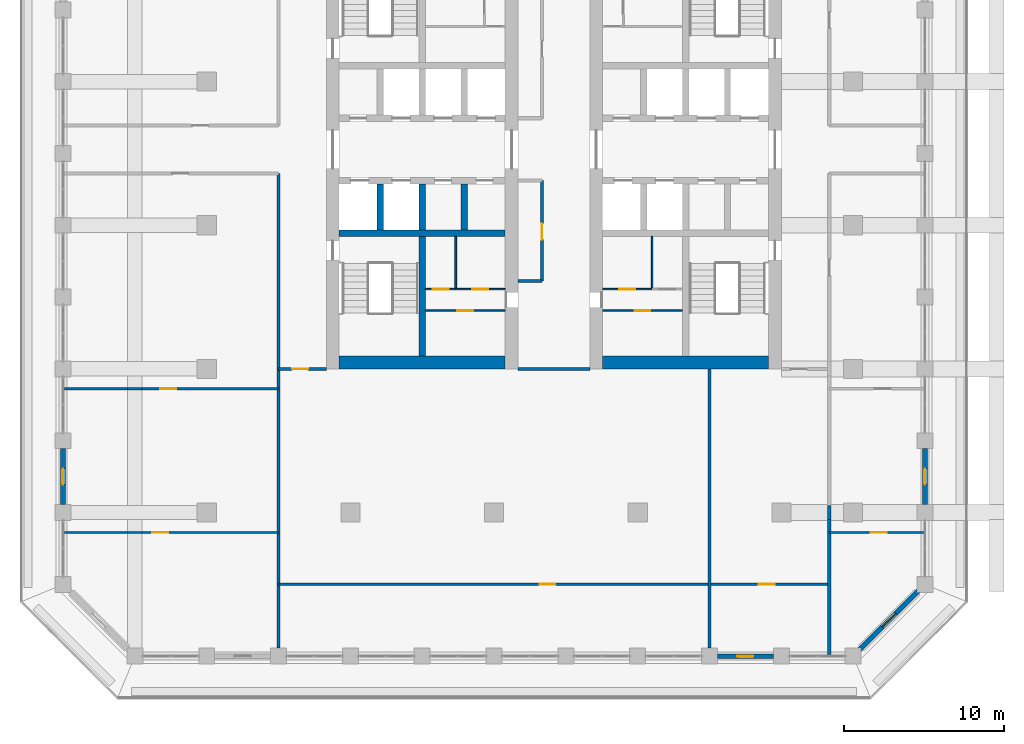
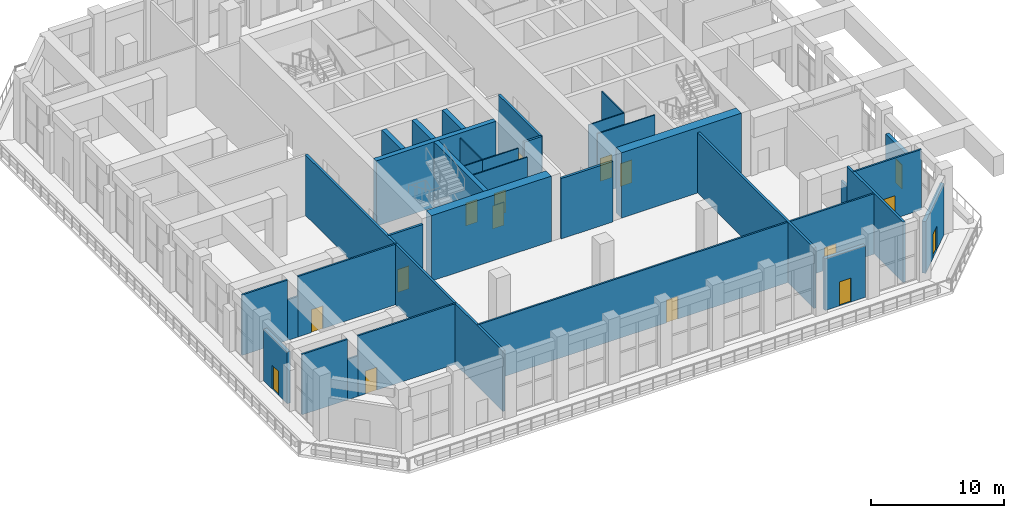
# One storey, part 13 of 25: 34 walls, 16 doors, 16 openings.
"""IFC4 building model written with IfcOpenShell, lengths in metres."""

from ifc_helpers import new_model, si_unit, direction, frame, frame_2d, origin, place, context, subcontext, project, spatial, rectangle, extrude, material, layer, layer_set, type_object, element, fill, save


model = new_model("IFC4")

# Units and contexts
model_context = context("Model", 3, precision=1e-05, world=origin(), true_north=direction((0.0, 1.0)))
body_context = subcontext(model_context, "Body", "Model", "MODEL_VIEW")
ifc_project = project(units=[si_unit("LENGTHUNIT", "METRE"), si_unit("AREAUNIT", "SQUARE_METRE"), si_unit("VOLUMEUNIT", "CUBIC_METRE"), si_unit("PLANEANGLEUNIT", "RADIAN"), si_unit("MASSUNIT", "GRAM", prefix="KILO")], contexts=[model_context])

# Site, building, storey
site_placement = place(None, origin())
site = spatial("IfcSite", under=ifc_project, at=site_placement, CompositionType="ELEMENT")
building_placement = place(site_placement, origin())
building = spatial("IfcBuilding", under=site, at=building_placement, Name="Corbel Stack Research Tower", CompositionType="ELEMENT")
storey_placement = place(building_placement, frame((0.0, 0.0, 185.5)))
storey = spatial("IfcBuildingStorey", under=building, at=storey_placement, Name="L42", CompositionType="ELEMENT", Elevation=185.5)

# Walls
ifc_material_1 = material(Name="Concrete C60/75", Category="concrete")
ifc_layer_1 = layer(ifc_material_1, 0.39990234375)
ifc_layer_set_1 = layer_set([ifc_layer_1], Name="Concrete C60/75")
wall_type_1 = type_object("IfcWallType", Name="CW-400-60", PredefinedType="SHEAR", material=ifc_layer_set_1)
wall_1_placement = place(storey_placement, frame((-9.699951171875, -0.5, 0.0), z_axis=(0.0, 0.0, 1.0), x_axis=(1.0, 0.0, 0.0)))
element("IfcWall", 1, at=wall_1_placement, inside=storey, type_object=wall_type_1, Name="West core wall, south row back L42", PredefinedType="SHEAR", context=body_context, shape_type="SweptSolid", body=[
    extrude(rectangle(XDim=10.39990234375, YDim=0.39990234375, at=frame_2d((5.199951171875, 0.0))), origin(), (0.0, 0.0, 1.0), 6.0),
])
for number, where, z_axis, x_axis, name in (
    (2, (-7.125, -0.300048828125, 0.0), (0.0, 0.0, 1.0), (0.0, 1.0, 0.0), "West core wall, south shaft 1 L42"),
    (3, (-4.5, -0.300048828125, 0.0), (0.0, 0.0, 1.0), (0.0, 1.0, 0.0), "West core wall, south shaft 2 L42"),
    (4, (-1.875, -0.300048828125, 0.0), (0.0, 0.0, 1.0), (0.0, 1.0, 0.0), "West core wall, south shaft 3 L42"),
):
    element("IfcWall", number, at=place(storey_placement, frame(where, z_axis=z_axis, x_axis=x_axis)), inside=storey, type_object=wall_type_1, Name=name, PredefinedType="SHEAR", context=body_context, shape_type="SweptSolid", body=[
        extrude(rectangle(XDim=2.900146484375, YDim=0.39990234375, at=frame_2d((1.4501953125, 0.0))), origin(), (0.0, 0.0, 1.0), 6.0),
    ])
wall_2_placement = place(storey_placement, frame((-4.5, -8.199951171875, 0.0), z_axis=(0.0, 0.0, 1.0), x_axis=(0.0, 1.0, 0.0)))
element("IfcWall", 5, at=wall_2_placement, inside=storey, type_object=wall_type_1, Name="West core wall, south stair and WC L42", PredefinedType="SHEAR", context=body_context, shape_type="SweptSolid", body=[
    extrude(rectangle(XDim=7.5, YDim=0.39990234375, at=frame_2d((3.75, 0.0))), origin(), (0.0, 0.0, 1.0), 6.0),
])
ifc_material_2 = material(Name="Concrete C60/75", Category="concrete")
ifc_layer_2 = layer(ifc_material_2, 0.800048828125)
ifc_layer_set_2 = layer_set([ifc_layer_2], Name="Concrete C60/75")
wall_type_2 = type_object("IfcWallType", Name="CW-800-60", PredefinedType="SHEAR", material=ifc_layer_set_2)
for number, where, z_axis, x_axis, name in (
    (6, (-9.699951171875, -8.60009765625, 0.0), (0.0, 0.0, 1.0), (1.0, 0.0, 0.0), "West core wall, south end L42"),
    (7, (6.800048828125, -8.60009765625, 0.0), (0.0, 0.0, 1.0), (1.0, 0.0, 0.0), "East core wall, south end L42"),
):
    element("IfcWall", number, at=place(storey_placement, frame(where, z_axis=z_axis, x_axis=x_axis)), inside=storey, type_object=wall_type_2, Name=name, PredefinedType="SHEAR", context=body_context, shape_type="SweptSolid", body=[
        extrude(rectangle(XDim=10.39990234375, YDim=0.800048828125, at=frame_2d((5.199951171875, 0.0))), origin(), (0.0, 0.0, 1.0), 6.0),
    ])

# Wall, opening, door
ifc_material_3 = material(Name="Gypsum board")
ifc_layer_3 = layer(ifc_material_3, 0.10009765625)
ifc_layer_set_3 = layer_set([ifc_layer_3], Name="Gypsum board")
wall_type_3 = type_object("IfcWallType", Name="Core partition 100", PredefinedType="PARTITIONING", material=ifc_layer_set_3)
wall_3_placement = place(storey_placement, frame((-4.300048828125, -5.35009765625, 0.0), z_axis=(0.0, 0.0, 1.0), x_axis=(1.0, 0.0, 0.0)))
wall_3 = element("IfcWall", 8, at=wall_3_placement, inside=storey, type_object=wall_type_3, Name="Core partition W", PredefinedType="PARTITIONING", context=body_context, shape_type="SweptSolid", body=[
    extrude(rectangle(XDim=5.0, YDim=0.10009765625, at=frame_2d((2.5, 0.0))), origin(), (0.0, 0.0, 1.0), 5.550048828125),
])
opening_1_placement = place(wall_3_placement, frame((2.0, 0.0, 0.0)))
opening_1 = element("IfcOpeningElement", 9, at=opening_1_placement, cuts=wall_3, Name="Opening CR-W24-W2-1000", PredefinedType="OPENING", context=body_context, shape_type="SweptSolid", body=[
    extrude(rectangle(XDim=1.0, YDim=2.10009765625, at=frame_2d((0.5, 1.050048828125))), frame((0.0, 0.06005859375, 0.0), z_axis=(0.0, -1.0, 0.0), x_axis=(1.0, 0.0, 0.0)), (0.0, 0.0, 1.0), 0.1201171875),
])
ifc_material_4 = material(Name="Painted timber door", Category="wood")
door_type_1 = type_object("IfcDoorType", Name="WC door 1000 x 2100 right hand", OperationType="SINGLE_SWING_RIGHT", PredefinedType="DOOR", material=ifc_material_4)
door_1_placement = place(opening_1_placement, origin())
door_1 = element("IfcDoor", 10, at=door_1_placement, inside=storey, type_object=door_type_1, Name="Men's WC door W core", OperationType="SINGLE_SWING_RIGHT", OverallHeight=2.10009765625, OverallWidth=1.0, PredefinedType="DOOR", context=body_context, shape_type="SweptSolid", body=[
    extrude(rectangle(XDim=1.0, YDim=2.10009765625, at=frame_2d((0.5, 1.050048828125))), frame((0.0, 0.02490234375, 0.0), z_axis=(0.0, -1.0, 0.0), x_axis=(1.0, 0.0, 0.0)), (0.0, 0.0, 1.0), 0.050048828125),
])
fill(opening_1, door_1)

wall_4_placement = place(storey_placement, frame((-2.39990234375, -4.0, 0.0), z_axis=(0.0, 0.0, 1.0), x_axis=(1.0, 0.0, 0.0)))
wall_4 = element("IfcWall", 11, at=wall_4_placement, inside=storey, type_object=wall_type_3, Name="Core partition W", PredefinedType="PARTITIONING", context=body_context, shape_type="SweptSolid", body=[
    extrude(rectangle(XDim=3.099853515625, YDim=0.10009765625, at=frame_2d((1.5498046875, 0.0))), origin(), (0.0, 0.0, 1.0), 5.550048828125),
])
opening_2_placement = place(wall_4_placement, frame((1.050048828125, 0.0, 0.0)))
opening_2 = element("IfcOpeningElement", 12, at=opening_2_placement, cuts=wall_4, Name="Opening CR-W24-W3-1000", PredefinedType="OPENING", context=body_context, shape_type="SweptSolid", body=[
    extrude(rectangle(XDim=1.0, YDim=2.10009765625, at=frame_2d((0.5, 1.050048828125))), frame((0.0, 0.06005859375, 0.0), z_axis=(0.0, -1.0, 0.0), x_axis=(1.0, 0.0, 0.0)), (0.0, 0.0, 1.0), 0.1201171875),
])
ifc_material_5 = material(Name="Painted timber door", Category="wood")
door_type_2 = type_object("IfcDoorType", Name="WC door 1000 x 2100 left hand", OperationType="SINGLE_SWING_LEFT", PredefinedType="DOOR", material=ifc_material_5)
door_2_placement = place(opening_2_placement, origin())
door_2 = element("IfcDoor", 13, at=door_2_placement, inside=storey, type_object=door_type_2, Name="Women's WC door W core", OperationType="SINGLE_SWING_LEFT", OverallHeight=2.10009765625, OverallWidth=1.0, PredefinedType="DOOR", context=body_context, shape_type="SweptSolid", body=[
    extrude(rectangle(XDim=1.0, YDim=2.10009765625, at=frame_2d((0.5, 1.050048828125))), frame((0.0, 0.02490234375, 0.0), z_axis=(0.0, -1.0, 0.0), x_axis=(1.0, 0.0, 0.0)), (0.0, 0.0, 1.0), 0.050048828125),
])
fill(opening_2, door_2)

wall_5_placement = place(storey_placement, frame((-4.300048828125, -4.0, 0.0), z_axis=(0.0, 0.0, 1.0), x_axis=(1.0, 0.0, 0.0)))
wall_5 = element("IfcWall", 14, at=wall_5_placement, inside=storey, type_object=wall_type_3, Name="Core partition W", PredefinedType="PARTITIONING", context=body_context, shape_type="SweptSolid", body=[
    extrude(rectangle(XDim=1.900146484375, YDim=0.10009765625, at=frame_2d((0.9501953125, 0.0))), origin(), (0.0, 0.0, 1.0), 5.550048828125),
])
opening_3_placement = place(wall_5_placement, frame((0.449951171875, 0.0, 0.0)))
opening_3 = element("IfcOpeningElement", 15, at=opening_3_placement, cuts=wall_5, Name="Opening CR-W24-W4-1000", PredefinedType="OPENING", context=body_context, shape_type="SweptSolid", body=[
    extrude(rectangle(XDim=1.0, YDim=2.10009765625, at=frame_2d((0.5, 1.050048828125))), frame((0.0, 0.06005859375, 0.0), z_axis=(0.0, -1.0, 0.0), x_axis=(1.0, 0.0, 0.0)), (0.0, 0.0, 1.0), 0.1201171875),
])
door_3_placement = place(opening_3_placement, origin())
door_3 = element("IfcDoor", 16, at=door_3_placement, inside=storey, type_object=door_type_1, Name="Accessible WC door W core", OperationType="SINGLE_SWING_RIGHT", OverallHeight=2.10009765625, OverallWidth=1.0, PredefinedType="DOOR", context=body_context, shape_type="SweptSolid", body=[
    extrude(rectangle(XDim=1.0, YDim=2.10009765625, at=frame_2d((0.5, 1.050048828125))), frame((0.0, 0.02490234375, 0.0), z_axis=(0.0, -1.0, 0.0), x_axis=(1.0, 0.0, 0.0)), (0.0, 0.0, 1.0), 0.050048828125),
])
fill(opening_3, door_3)

# Wall
wall_6_placement = place(storey_placement, frame((-2.39990234375, -4.0, 0.0), z_axis=(0.0, 0.0, 1.0), x_axis=(0.0, 1.0, 0.0)))
element("IfcWall", 17, at=wall_6_placement, inside=storey, type_object=wall_type_3, Name="Core partition W", PredefinedType="PARTITIONING", context=body_context, shape_type="SweptSolid", body=[
    extrude(rectangle(XDim=3.300048828125, YDim=0.10009765625, at=frame_2d((1.64990234375, 0.0))), origin(), (0.0, 0.0, 1.0), 5.550048828125),
])

# Wall, opening, door
wall_7_placement = place(storey_placement, frame((6.800048828125, -5.35009765625, 0.0), z_axis=(0.0, 0.0, 1.0), x_axis=(1.0, 0.0, 0.0)))
wall_7 = element("IfcWall", 18, at=wall_7_placement, inside=storey, type_object=wall_type_3, Name="Core partition E", PredefinedType="PARTITIONING", context=body_context, shape_type="SweptSolid", body=[
    extrude(rectangle(XDim=5.0, YDim=0.10009765625, at=frame_2d((2.5, 0.0))), origin(), (0.0, 0.0, 1.0), 5.550048828125),
])
opening_4_placement = place(wall_7_placement, frame((2.0, 0.0, 0.0)))
opening_4 = element("IfcOpeningElement", 19, at=opening_4_placement, cuts=wall_7, Name="Opening CR-E24-W2-1000", PredefinedType="OPENING", context=body_context, shape_type="SweptSolid", body=[
    extrude(rectangle(XDim=1.0, YDim=2.10009765625, at=frame_2d((0.5, 1.050048828125))), frame((0.0, 0.06005859375, 0.0), z_axis=(0.0, -1.0, 0.0), x_axis=(1.0, 0.0, 0.0)), (0.0, 0.0, 1.0), 0.1201171875),
])
door_4_placement = place(opening_4_placement, origin())
door_4 = element("IfcDoor", 20, at=door_4_placement, inside=storey, type_object=door_type_2, Name="Men's WC door E core", OperationType="SINGLE_SWING_LEFT", OverallHeight=2.10009765625, OverallWidth=1.0, PredefinedType="DOOR", context=body_context, shape_type="SweptSolid", body=[
    extrude(rectangle(XDim=1.0, YDim=2.10009765625, at=frame_2d((0.5, 1.050048828125))), frame((0.0, 0.02490234375, 0.0), z_axis=(0.0, -1.0, 0.0), x_axis=(1.0, 0.0, 0.0)), (0.0, 0.0, 1.0), 0.050048828125),
])
fill(opening_4, door_4)

wall_8_placement = place(storey_placement, frame((6.800048828125, -4.0, 0.0), z_axis=(0.0, 0.0, 1.0), x_axis=(1.0, 0.0, 0.0)))
wall_8 = element("IfcWall", 21, at=wall_8_placement, inside=storey, type_object=wall_type_3, Name="Core partition E", PredefinedType="PARTITIONING", context=body_context, shape_type="SweptSolid", body=[
    extrude(rectangle(XDim=3.099853515625, YDim=0.10009765625, at=frame_2d((1.5498046875, 0.0))), origin(), (0.0, 0.0, 1.0), 5.550048828125),
])
opening_5_placement = place(wall_8_placement, frame((1.050048828125, 0.0, 0.0)))
opening_5 = element("IfcOpeningElement", 22, at=opening_5_placement, cuts=wall_8, Name="Opening CR-E24-W3-1000", PredefinedType="OPENING", context=body_context, shape_type="SweptSolid", body=[
    extrude(rectangle(XDim=1.0, YDim=2.10009765625, at=frame_2d((0.5, 1.050048828125))), frame((0.0, 0.06005859375, 0.0), z_axis=(0.0, -1.0, 0.0), x_axis=(1.0, 0.0, 0.0)), (0.0, 0.0, 1.0), 0.1201171875),
])
door_5_placement = place(opening_5_placement, origin())
door_5 = element("IfcDoor", 23, at=door_5_placement, inside=storey, type_object=door_type_1, Name="Women's WC door E core", OperationType="SINGLE_SWING_RIGHT", OverallHeight=2.10009765625, OverallWidth=1.0, PredefinedType="DOOR", context=body_context, shape_type="SweptSolid", body=[
    extrude(rectangle(XDim=1.0, YDim=2.10009765625, at=frame_2d((0.5, 1.050048828125))), frame((0.0, 0.02490234375, 0.0), z_axis=(0.0, -1.0, 0.0), x_axis=(1.0, 0.0, 0.0)), (0.0, 0.0, 1.0), 0.050048828125),
])
fill(opening_5, door_5)

# Walls
wall_9_placement = place(storey_placement, frame((9.89990234375, -4.0, 0.0), z_axis=(0.0, 0.0, 1.0), x_axis=(0.0, 1.0, 0.0)))
element("IfcWall", 24, at=wall_9_placement, inside=storey, type_object=wall_type_3, Name="Core partition E", PredefinedType="PARTITIONING", context=body_context, shape_type="SweptSolid", body=[
    extrude(rectangle(XDim=3.300048828125, YDim=0.10009765625, at=frame_2d((1.64990234375, 0.0))), origin(), (0.0, 0.0, 1.0), 5.550048828125),
])
ifc_material_6 = material(Name="Fire-rated gypsum board partition on steel studs", Category="steel")
ifc_layer_4 = layer(ifc_material_6, 0.199951171875)
ifc_layer_set_4 = layer_set([ifc_layer_4], Name="Fire-rated gypsum board partition on steel studs")
wall_type_4 = type_object("IfcWallType", Name="Fire-rated partition 200 EI 60", PredefinedType="PARTITIONING", material=ifc_layer_set_4)
wall_10_placement = place(storey_placement, frame((-13.5, -26.5, 0.0), z_axis=(0.0, 0.0, 1.0), x_axis=(0.0, 1.0, 0.0)))
element("IfcWall", 25, at=wall_10_placement, inside=storey, type_object=wall_type_4, Name="Partition L42-001", PredefinedType="PARTITIONING", context=body_context, shape_type="SweptSolid", body=[
    extrude(rectangle(XDim=29.75, YDim=0.199951171875, at=frame_2d((14.875, 0.0))), origin(), (0.0, 0.0, 1.0), 5.550048828125),
])

# Wall, opening, door
wall_11_placement = place(storey_placement, frame((3.0, -3.5, 0.0), z_axis=(0.0, 0.0, 1.0), x_axis=(0.0, 1.0, 0.0)))
wall_11 = element("IfcWall", 26, at=wall_11_placement, inside=storey, type_object=wall_type_4, Name="Partition L42-003", PredefinedType="PARTITIONING", context=body_context, shape_type="SweptSolid", body=[
    extrude(rectangle(XDim=6.300048828125, YDim=0.199951171875, at=frame_2d((3.14990234375, 0.0))), origin(), (0.0, 0.0, 1.0), 5.550048828125),
])
opening_6_placement = place(wall_11_placement, frame((2.60009765625, 0.0, 0.0)))
opening_6 = element("IfcOpeningElement", 27, at=opening_6_placement, cuts=wall_11, Name="Opening B5AM-009", PredefinedType="OPENING", context=body_context, shape_type="SweptSolid", body=[
    extrude(rectangle(XDim=1.0, YDim=2.10009765625, at=frame_2d((0.5, 1.050048828125))), frame((0.0, 0.10986328125, 0.0), z_axis=(0.0, -1.0, 0.0), x_axis=(1.0, 0.0, 0.0)), (0.0, 0.0, 1.0), 0.219970703125),
])
ifc_material_7 = material(Name="Painted steel fire door", Category="steel")
door_type_3 = type_object("IfcDoorType", Name="Fire door FD30S 1000 x 2100", OperationType="NOTDEFINED", PredefinedType="DOOR", material=ifc_material_7)
door_6_placement = place(opening_6_placement, origin())
door_6 = element("IfcDoor", 28, at=door_6_placement, inside=storey, type_object=door_type_3, Name="Door B5AM-009", OperationType="SINGLE_SWING_LEFT", OverallHeight=2.10009765625, OverallWidth=1.0, PredefinedType="DOOR", context=body_context, shape_type="SweptSolid", body=[
    extrude(rectangle(XDim=1.0, YDim=2.10009765625, at=frame_2d((0.5, 1.050048828125))), frame((0.0, 0.02490234375, 0.0), z_axis=(0.0, -1.0, 0.0), x_axis=(1.0, 0.0, 0.0)), (0.0, 0.0, 1.0), 0.050048828125),
])
fill(opening_6, door_6)

# Walls
wall_12_placement = place(storey_placement, frame((13.5, -26.5, 0.0), z_axis=(0.0, 0.0, 1.0), x_axis=(0.0, 1.0, 0.0)))
element("IfcWall", 29, at=wall_12_placement, inside=storey, type_object=wall_type_4, Name="Partition L42-006", PredefinedType="PARTITIONING", context=body_context, shape_type="SweptSolid", body=[
    extrude(rectangle(XDim=17.5, YDim=0.199951171875, at=frame_2d((8.75, 0.0))), origin(), (0.0, 0.0, 1.0), 5.550048828125),
])
wall_13_placement = place(storey_placement, frame((21.0, -26.89990234375, 0.0), z_axis=(0.0, 0.0, 1.0), x_axis=(0.0, 1.0, 0.0)))
element("IfcWall", 30, at=wall_13_placement, inside=storey, type_object=wall_type_4, Name="Partition L42-007", PredefinedType="PARTITIONING", context=body_context, shape_type="SweptSolid", body=[
    extrude(rectangle(XDim=8.449951171875, YDim=0.199951171875, at=frame_2d((4.22509765625, 0.0))), origin(), (0.0, 0.0, 1.0), 5.550048828125),
])
wall_14_placement = place(storey_placement, frame((21.0, -18.449951171875, 0.0), z_axis=(0.0, 0.0, 1.0), x_axis=(0.0, 1.0, 0.0)))
element("IfcWall", 31, at=wall_14_placement, inside=storey, type_object=wall_type_4, Name="Partition L42-008", PredefinedType="PARTITIONING", context=body_context, shape_type="SweptSolid", body=[
    extrude(rectangle(XDim=0.89990234375, YDim=0.199951171875, at=frame_2d((0.449951171875, 0.0))), origin(), (0.0, 0.0, 1.0), 3.719970703125),
])

# Wall, opening, door
wall_15_placement = place(storey_placement, frame((-10.5, -9.0, 0.0), z_axis=(0.0, 0.0, 1.0), x_axis=(-1.0, 0.0, 0.0)))
wall_15 = element("IfcWall", 32, at=wall_15_placement, inside=storey, type_object=wall_type_4, Name="Partition L42-028", PredefinedType="PARTITIONING", context=body_context, shape_type="SweptSolid", body=[
    extrude(rectangle(XDim=3.0, YDim=0.199951171875, at=frame_2d((1.5, 0.0))), origin(), (0.0, 0.0, 1.0), 5.550048828125),
])
opening_7_placement = place(wall_15_placement, frame((1.14990234375, 0.0, 0.0)))
opening_7 = element("IfcOpeningElement", 33, at=opening_7_placement, cuts=wall_15, Name="Opening B5AM-007", PredefinedType="OPENING", context=body_context, shape_type="SweptSolid", body=[
    extrude(rectangle(XDim=1.0, YDim=2.10009765625, at=frame_2d((0.5, 1.050048828125))), frame((0.0, 0.10986328125, 0.0), z_axis=(0.0, -1.0, 0.0), x_axis=(1.0, 0.0, 0.0)), (0.0, 0.0, 1.0), 0.219970703125),
])
door_7_placement = place(opening_7_placement, origin())
door_7 = element("IfcDoor", 34, at=door_7_placement, inside=storey, type_object=door_type_3, Name="Door B5AM-007", OperationType="SINGLE_SWING_RIGHT", OverallHeight=2.10009765625, OverallWidth=1.0, PredefinedType="DOOR", context=body_context, shape_type="SweptSolid", body=[
    extrude(rectangle(XDim=1.0, YDim=2.10009765625, at=frame_2d((0.5, 1.050048828125))), frame((0.0, 0.02490234375, 0.0), z_axis=(0.0, -1.0, 0.0), x_axis=(1.0, 0.0, 0.0)), (0.0, 0.0, 1.0), 0.050048828125),
])
fill(opening_7, door_7)

# Walls
wall_16_placement = place(storey_placement, frame((1.5, -9.0, 0.0), z_axis=(0.0, 0.0, 1.0), x_axis=(1.0, 0.0, 0.0)))
element("IfcWall", 35, at=wall_16_placement, inside=storey, type_object=wall_type_4, Name="Partition L42-029", PredefinedType="PARTITIONING", context=body_context, shape_type="SweptSolid", body=[
    extrude(rectangle(XDim=4.5, YDim=0.199951171875, at=frame_2d((2.25, 0.0))), origin(), (0.0, 0.0, 1.0), 5.550048828125),
])
wall_17_placement = place(storey_placement, frame((1.5, -3.5, 0.0), z_axis=(0.0, 0.0, 1.0), x_axis=(1.0, 0.0, 0.0)))
element("IfcWall", 36, at=wall_17_placement, inside=storey, type_object=wall_type_4, Name="Partition L42-031", PredefinedType="PARTITIONING", context=body_context, shape_type="SweptSolid", body=[
    extrude(rectangle(XDim=1.5, YDim=0.199951171875, at=frame_2d((0.75, 0.0))), origin(), (0.0, 0.0, 1.0), 5.550048828125),
])

# Wall, openings, doors
ifc_material_8 = material(Name="Gypsum board partition on steel studs", Category="steel")
ifc_layer_5 = layer(ifc_material_8, 0.14990234375)
ifc_layer_set_5 = layer_set([ifc_layer_5], Name="Gypsum board partition on steel studs")
wall_type_5 = type_object("IfcWallType", Name="Partition 150", PredefinedType="PARTITIONING", material=ifc_layer_set_5)
wall_18_placement = place(storey_placement, frame((21.0, -22.5, 0.0), z_axis=(0.0, 0.0, 1.0), x_axis=(-1.0, 0.0, 0.0)))
wall_18 = element("IfcWall", 37, at=wall_18_placement, inside=storey, type_object=wall_type_5, Name="Partition L42-019", PredefinedType="PARTITIONING", context=body_context, shape_type="SweptSolid", body=[
    extrude(rectangle(XDim=34.5, YDim=0.14990234375, at=frame_2d((17.25, 0.0))), origin(), (0.0, 0.0, 1.0), 5.550048828125),
])
opening_8_placement = place(wall_18_placement, frame((17.14990234375, 0.0, 0.0)))
opening_8 = element("IfcOpeningElement", 38, at=opening_8_placement, cuts=wall_18, Name="Opening B5AM-001", PredefinedType="OPENING", context=body_context, shape_type="SweptSolid", body=[
    extrude(rectangle(XDim=1.0, YDim=2.10009765625, at=frame_2d((0.5, 1.050048828125))), frame((0.0, 0.0849609375, 0.0), z_axis=(0.0, -1.0, 0.0), x_axis=(1.0, 0.0, 0.0)), (0.0, 0.0, 1.0), 0.169921875),
])
opening_9_placement = place(wall_18_placement, frame((3.39990234375, 0.0, 0.0)))
opening_9 = element("IfcOpeningElement", 39, at=opening_9_placement, cuts=wall_18, Name="Opening B5AM-002", PredefinedType="OPENING", context=body_context, shape_type="SweptSolid", body=[
    extrude(rectangle(XDim=1.0, YDim=2.10009765625, at=frame_2d((0.5, 1.050048828125))), frame((0.0, 0.0849609375, 0.0), z_axis=(0.0, -1.0, 0.0), x_axis=(1.0, 0.0, 0.0)), (0.0, 0.0, 1.0), 0.169921875),
])
ifc_material_9 = material(Name="Painted timber door", Category="wood")
door_type_4 = type_object("IfcDoorType", Name="Single door 1000 x 2100", OperationType="NOTDEFINED", PredefinedType="DOOR", material=ifc_material_9)
door_8_placement = place(opening_8_placement, origin())
door_8 = element("IfcDoor", 40, at=door_8_placement, inside=storey, type_object=door_type_4, Name="Door B5AM-001", OperationType="SINGLE_SWING_RIGHT", OverallHeight=2.10009765625, OverallWidth=1.0, PredefinedType="DOOR", context=body_context, shape_type="SweptSolid", body=[
    extrude(rectangle(XDim=1.0, YDim=2.10009765625, at=frame_2d((0.5, 1.050048828125))), frame((0.0, 0.02490234375, 0.0), z_axis=(0.0, -1.0, 0.0), x_axis=(1.0, 0.0, 0.0)), (0.0, 0.0, 1.0), 0.050048828125),
])
fill(opening_8, door_8)
door_9_placement = place(opening_9_placement, origin())
door_9 = element("IfcDoor", 41, at=door_9_placement, inside=storey, type_object=door_type_4, Name="Door B5AM-002", OperationType="SINGLE_SWING_LEFT", OverallHeight=2.10009765625, OverallWidth=1.0, PredefinedType="DOOR", context=body_context, shape_type="SweptSolid", body=[
    extrude(rectangle(XDim=1.0, YDim=2.10009765625, at=frame_2d((0.5, 1.050048828125))), frame((0.0, 0.02490234375, 0.0), z_axis=(0.0, -1.0, 0.0), x_axis=(1.0, 0.0, 0.0)), (0.0, 0.0, 1.0), 0.050048828125),
])
fill(opening_9, door_9)

# Walls
wall_19_placement = place(storey_placement, frame((-26.89990234375, -19.25, 0.0), z_axis=(0.0, 0.0, 1.0), x_axis=(1.0, 0.0, 0.0)))
element("IfcWall", 42, at=wall_19_placement, inside=storey, type_object=wall_type_5, Name="Partition L42-020", PredefinedType="PARTITIONING", context=body_context, shape_type="SweptSolid", body=[
    extrude(rectangle(XDim=3.949951171875, YDim=0.14990234375, at=frame_2d((1.97509765625, 0.0))), origin(), (0.0, 0.0, 1.0), 5.550048828125),
])
wall_20_placement = place(storey_placement, frame((-22.949951171875, -19.25, 0.0), z_axis=(0.0, 0.0, 1.0), x_axis=(1.0, 0.0, 0.0)))
element("IfcWall", 43, at=wall_20_placement, inside=storey, type_object=wall_type_5, Name="Partition L42-021", PredefinedType="PARTITIONING", context=body_context, shape_type="SweptSolid", body=[
    extrude(rectangle(XDim=0.89990234375, YDim=0.14990234375, at=frame_2d((0.449951171875, 0.0))), origin(), (0.0, 0.0, 1.0), 3.719970703125),
])

# Wall, opening, door
wall_21_placement = place(storey_placement, frame((-13.5, -19.25, 0.0), z_axis=(0.0, 0.0, 1.0), x_axis=(-1.0, 0.0, 0.0)))
wall_21 = element("IfcWall", 44, at=wall_21_placement, inside=storey, type_object=wall_type_5, Name="Partition L42-022", PredefinedType="PARTITIONING", context=body_context, shape_type="SweptSolid", body=[
    extrude(rectangle(XDim=8.550048828125, YDim=0.14990234375, at=frame_2d((4.27490234375, 0.0))), origin(), (0.0, 0.0, 1.0), 5.550048828125),
])
opening_10_placement = place(wall_21_placement, frame((6.89990234375, 0.0, 0.0)))
opening_10 = element("IfcOpeningElement", 45, at=opening_10_placement, cuts=wall_21, Name="Opening B5AM-003", PredefinedType="OPENING", context=body_context, shape_type="SweptSolid", body=[
    extrude(rectangle(XDim=1.0, YDim=2.10009765625, at=frame_2d((0.5, 1.050048828125))), frame((0.0, 0.0849609375, 0.0), z_axis=(0.0, -1.0, 0.0), x_axis=(1.0, 0.0, 0.0)), (0.0, 0.0, 1.0), 0.169921875),
])
door_10_placement = place(opening_10_placement, origin())
door_10 = element("IfcDoor", 46, at=door_10_placement, inside=storey, type_object=door_type_4, Name="Door B5AM-003", OperationType="SINGLE_SWING_RIGHT", OverallHeight=2.10009765625, OverallWidth=1.0, PredefinedType="DOOR", context=body_context, shape_type="SweptSolid", body=[
    extrude(rectangle(XDim=1.0, YDim=2.10009765625, at=frame_2d((0.5, 1.050048828125))), frame((0.0, 0.02490234375, 0.0), z_axis=(0.0, -1.0, 0.0), x_axis=(1.0, 0.0, 0.0)), (0.0, 0.0, 1.0), 0.050048828125),
])
fill(opening_10, door_10)

wall_22_placement = place(storey_placement, frame((26.89990234375, -19.25, 0.0), z_axis=(0.0, 0.0, 1.0), x_axis=(-1.0, 0.0, 0.0)))
wall_22 = element("IfcWall", 47, at=wall_22_placement, inside=storey, type_object=wall_type_5, Name="Partition L42-023", PredefinedType="PARTITIONING", context=body_context, shape_type="SweptSolid", body=[
    extrude(rectangle(XDim=5.89990234375, YDim=0.14990234375, at=frame_2d((2.949951171875, 0.0))), origin(), (0.0, 0.0, 1.0), 5.550048828125),
])
opening_11_placement = place(wall_22_placement, frame((2.300048828125, 0.0, 0.0)))
opening_11 = element("IfcOpeningElement", 48, at=opening_11_placement, cuts=wall_22, Name="Opening B5AM-004", PredefinedType="OPENING", context=body_context, shape_type="SweptSolid", body=[
    extrude(rectangle(XDim=1.0, YDim=2.10009765625, at=frame_2d((0.5, 1.050048828125))), frame((0.0, 0.0849609375, 0.0), z_axis=(0.0, -1.0, 0.0), x_axis=(1.0, 0.0, 0.0)), (0.0, 0.0, 1.0), 0.169921875),
])
door_11_placement = place(opening_11_placement, origin())
door_11 = element("IfcDoor", 49, at=door_11_placement, inside=storey, type_object=door_type_4, Name="Door B5AM-004", OperationType="SINGLE_SWING_LEFT", OverallHeight=2.10009765625, OverallWidth=1.0, PredefinedType="DOOR", context=body_context, shape_type="SweptSolid", body=[
    extrude(rectangle(XDim=1.0, YDim=2.10009765625, at=frame_2d((0.5, 1.050048828125))), frame((0.0, 0.02490234375, 0.0), z_axis=(0.0, -1.0, 0.0), x_axis=(1.0, 0.0, 0.0)), (0.0, 0.0, 1.0), 0.050048828125),
])
fill(opening_11, door_11)

# Walls
wall_23_placement = place(storey_placement, frame((-26.89990234375, -10.25, 0.0), z_axis=(0.0, 0.0, 1.0), x_axis=(1.0, 0.0, 0.0)))
element("IfcWall", 50, at=wall_23_placement, inside=storey, type_object=wall_type_5, Name="Partition L42-024", PredefinedType="PARTITIONING", context=body_context, shape_type="SweptSolid", body=[
    extrude(rectangle(XDim=3.949951171875, YDim=0.14990234375, at=frame_2d((1.97509765625, 0.0))), origin(), (0.0, 0.0, 1.0), 5.550048828125),
])
wall_24_placement = place(storey_placement, frame((-22.949951171875, -10.25, 0.0), z_axis=(0.0, 0.0, 1.0), x_axis=(1.0, 0.0, 0.0)))
element("IfcWall", 51, at=wall_24_placement, inside=storey, type_object=wall_type_5, Name="Partition L42-025", PredefinedType="PARTITIONING", context=body_context, shape_type="SweptSolid", body=[
    extrude(rectangle(XDim=0.89990234375, YDim=0.14990234375, at=frame_2d((0.449951171875, 0.0))), origin(), (0.0, 0.0, 1.0), 3.719970703125),
])

# Wall, opening, door
wall_25_placement = place(storey_placement, frame((-13.5, -10.25, 0.0), z_axis=(0.0, 0.0, 1.0), x_axis=(-1.0, 0.0, 0.0)))
wall_25 = element("IfcWall", 52, at=wall_25_placement, inside=storey, type_object=wall_type_5, Name="Partition L42-026", PredefinedType="PARTITIONING", context=body_context, shape_type="SweptSolid", body=[
    extrude(rectangle(XDim=8.550048828125, YDim=0.14990234375, at=frame_2d((4.27490234375, 0.0))), origin(), (0.0, 0.0, 1.0), 5.550048828125),
])
opening_12_placement = place(wall_25_placement, frame((6.39990234375, 0.0, 0.0)))
opening_12 = element("IfcOpeningElement", 53, at=opening_12_placement, cuts=wall_25, Name="Opening B5AM-005", PredefinedType="OPENING", context=body_context, shape_type="SweptSolid", body=[
    extrude(rectangle(XDim=1.0, YDim=2.10009765625, at=frame_2d((0.5, 1.050048828125))), frame((0.0, 0.0849609375, 0.0), z_axis=(0.0, -1.0, 0.0), x_axis=(1.0, 0.0, 0.0)), (0.0, 0.0, 1.0), 0.169921875),
])
door_12_placement = place(opening_12_placement, origin())
door_12 = element("IfcDoor", 54, at=door_12_placement, inside=storey, type_object=door_type_4, Name="Door B5AM-005", OperationType="SINGLE_SWING_RIGHT", OverallHeight=2.10009765625, OverallWidth=1.0, PredefinedType="DOOR", context=body_context, shape_type="SweptSolid", body=[
    extrude(rectangle(XDim=1.0, YDim=2.10009765625, at=frame_2d((0.5, 1.050048828125))), frame((0.0, 0.02490234375, 0.0), z_axis=(0.0, -1.0, 0.0), x_axis=(1.0, 0.0, 0.0)), (0.0, 0.0, 1.0), 0.050048828125),
])
fill(opening_12, door_12)

ifc_material_10 = material(Name="Concrete C45/55", Category="concrete")
ifc_layer_6 = layer(ifc_material_10, 0.300048828125)
ifc_layer_set_6 = layer_set([ifc_layer_6], Name="Concrete C45/55")
wall_type_6 = type_object("IfcWallType", Name="Terracotta-faced concrete wall 300", PredefinedType="SOLIDWALL", material=ifc_layer_set_6)
wall_26_placement = place(storey_placement, frame((17.5, -27.0, 0.0), z_axis=(0.0, 0.0, 1.0), x_axis=(-1.0, 0.0, 0.0)))
wall_26 = element("IfcWall", 55, at=wall_26_placement, inside=storey, type_object=wall_type_6, Name="Facade wall L42 S09", PredefinedType="SOLIDWALL", context=body_context, shape_type="SweptSolid", body=[
    extrude(rectangle(XDim=3.5, YDim=0.300048828125, at=frame_2d((1.75, 0.0))), origin(), (0.0, 0.0, 1.0), 4.75),
])
opening_13_placement = place(wall_26_placement, frame((1.25, 0.0, 0.0)))
opening_13 = element("IfcOpeningElement", 56, at=opening_13_placement, cuts=wall_26, Name="Opening L42-B02", PredefinedType="OPENING", context=body_context, shape_type="SweptSolid", body=[
    extrude(rectangle(XDim=1.0, YDim=2.199951171875, at=frame_2d((0.5, 1.10009765625))), frame((0.0, 0.159912109375, 0.0), z_axis=(0.0, -1.0, 0.0), x_axis=(1.0, 0.0, 0.0)), (0.0, 0.0, 1.0), 0.320068359375),
])
ifc_material_11 = material(Name="Aluminium frame, clear double glazing", Category="aluminium")
door_type_5 = type_object("IfcDoorType", Name="Balcony door BD1 1000 x 2200", OperationType="NOTDEFINED", PredefinedType="DOOR", material=ifc_material_11)
door_13_placement = place(opening_13_placement, origin())
door_13 = element("IfcDoor", 57, at=door_13_placement, inside=storey, type_object=door_type_5, Name="Balcony door L42-B02", OperationType="SINGLE_SWING_LEFT", OverallHeight=2.199951171875, OverallWidth=1.0, PredefinedType="DOOR", context=body_context, shape_type="SweptSolid", body=[
    extrude(rectangle(XDim=1.0, YDim=2.199951171875, at=frame_2d((0.5, 1.10009765625))), frame((0.0, 0.02490234375, 0.0), z_axis=(0.0, -1.0, 0.0), x_axis=(1.0, 0.0, 0.0)), (0.0, 0.0, 1.0), 0.050048828125),
])
fill(opening_13, door_13)

wall_27_placement = place(storey_placement, frame((26.606201171875, -22.893798828125, 0.0), z_axis=(0.0, 0.0, 1.0), x_axis=(-0.707106781187, -0.707106781187, 0.0)))
wall_27 = element("IfcWall", 58, at=wall_27_placement, inside=storey, type_object=wall_type_6, Name="Facade wall L42 SE01", PredefinedType="SOLIDWALL", context=body_context, shape_type="SweptSolid", body=[
    extrude(rectangle(XDim=5.250244140625, YDim=0.300048828125, at=frame_2d((2.625, 0.0))), origin(), (0.0, 0.0, 1.0), 4.75),
])
opening_14_placement = place(wall_27_placement, frame((2.02490234375, 0.0, 0.0)))
opening_14 = element("IfcOpeningElement", 59, at=opening_14_placement, cuts=wall_27, Name="Opening L42-B03", PredefinedType="OPENING", context=body_context, shape_type="SweptSolid", body=[
    extrude(rectangle(XDim=1.199951171875, YDim=2.199951171875, at=frame_2d((0.60009765625, 1.10009765625))), frame((0.0, 0.159912109375, 0.0), z_axis=(0.0, -1.0, 0.0), x_axis=(1.0, 0.0, 0.0)), (0.0, 0.0, 1.0), 0.320068359375),
])
ifc_material_12 = material(Name="Aluminium frame, clear double glazing", Category="aluminium")
door_type_6 = type_object("IfcDoorType", Name="Balcony door BD2 1200 x 2200", OperationType="NOTDEFINED", PredefinedType="DOOR", material=ifc_material_12)
door_14_placement = place(opening_14_placement, origin())
door_14 = element("IfcDoor", 60, at=door_14_placement, inside=storey, type_object=door_type_6, Name="Balcony door L42-B03", OperationType="SINGLE_SWING_LEFT", OverallHeight=2.199951171875, OverallWidth=1.199951171875, PredefinedType="DOOR", context=body_context, shape_type="SweptSolid", body=[
    extrude(rectangle(XDim=1.199951171875, YDim=2.199951171875, at=frame_2d((0.60009765625, 1.10009765625))), frame((0.0, 0.02490234375, 0.0), z_axis=(0.0, -1.0, 0.0), x_axis=(1.0, 0.0, 0.0)), (0.0, 0.0, 1.0), 0.050048828125),
])
fill(opening_14, door_14)

wall_28_placement = place(storey_placement, frame((27.0, -14.0, 0.0), z_axis=(0.0, 0.0, 1.0), x_axis=(0.0, -1.0, 0.0)))
wall_28 = element("IfcWall", 61, at=wall_28_placement, inside=storey, type_object=wall_type_6, Name="Facade wall L42 E02", PredefinedType="SOLIDWALL", context=body_context, shape_type="SweptSolid", body=[
    extrude(rectangle(XDim=3.5, YDim=0.300048828125, at=frame_2d((1.75, 0.0))), origin(), (0.0, 0.0, 1.0), 3.75),
])
opening_15_placement = place(wall_28_placement, frame((1.25, 0.0, 0.0)))
opening_15 = element("IfcOpeningElement", 62, at=opening_15_placement, cuts=wall_28, Name="Opening L42-B04", PredefinedType="OPENING", context=body_context, shape_type="SweptSolid", body=[
    extrude(rectangle(XDim=1.0, YDim=2.199951171875, at=frame_2d((0.5, 1.10009765625))), frame((0.0, 0.159912109375, 0.0), z_axis=(0.0, -1.0, 0.0), x_axis=(1.0, 0.0, 0.0)), (0.0, 0.0, 1.0), 0.320068359375),
])
door_15_placement = place(opening_15_placement, origin())
door_15 = element("IfcDoor", 63, at=door_15_placement, inside=storey, type_object=door_type_5, Name="Balcony door L42-B04", OperationType="SINGLE_SWING_RIGHT", OverallHeight=2.199951171875, OverallWidth=1.0, PredefinedType="DOOR", context=body_context, shape_type="SweptSolid", body=[
    extrude(rectangle(XDim=1.0, YDim=2.199951171875, at=frame_2d((0.5, 1.10009765625))), frame((0.0, 0.02490234375, 0.0), z_axis=(0.0, -1.0, 0.0), x_axis=(1.0, 0.0, 0.0)), (0.0, 0.0, 1.0), 0.050048828125),
])
fill(opening_15, door_15)

wall_29_placement = place(storey_placement, frame((-27.0, -17.5, 0.0), z_axis=(0.0, 0.0, 1.0), x_axis=(0.0, 1.0, 0.0)))
wall_29 = element("IfcWall", 64, at=wall_29_placement, inside=storey, type_object=wall_type_6, Name="Facade wall L42 W09", PredefinedType="SOLIDWALL", context=body_context, shape_type="SweptSolid", body=[
    extrude(rectangle(XDim=3.5, YDim=0.300048828125, at=frame_2d((1.75, 0.0))), origin(), (0.0, 0.0, 1.0), 4.75),
])
opening_16_placement = place(wall_29_placement, frame((1.25, 0.0, 0.0)))
opening_16 = element("IfcOpeningElement", 65, at=opening_16_placement, cuts=wall_29, Name="Opening L42-B11", PredefinedType="OPENING", context=body_context, shape_type="SweptSolid", body=[
    extrude(rectangle(XDim=1.0, YDim=2.199951171875, at=frame_2d((0.5, 1.10009765625))), frame((0.0, 0.159912109375, 0.0), z_axis=(0.0, -1.0, 0.0), x_axis=(1.0, 0.0, 0.0)), (0.0, 0.0, 1.0), 0.320068359375),
])
door_16_placement = place(opening_16_placement, origin())
door_16 = element("IfcDoor", 66, at=door_16_placement, inside=storey, type_object=door_type_5, Name="Balcony door L42-B11", OperationType="SINGLE_SWING_LEFT", OverallHeight=2.199951171875, OverallWidth=1.0, PredefinedType="DOOR", context=body_context, shape_type="SweptSolid", body=[
    extrude(rectangle(XDim=1.0, YDim=2.199951171875, at=frame_2d((0.5, 1.10009765625))), frame((0.0, 0.02490234375, 0.0), z_axis=(0.0, -1.0, 0.0), x_axis=(1.0, 0.0, 0.0)), (0.0, 0.0, 1.0), 0.050048828125),
])
fill(opening_16, door_16)

save(model, "model.ifc")
